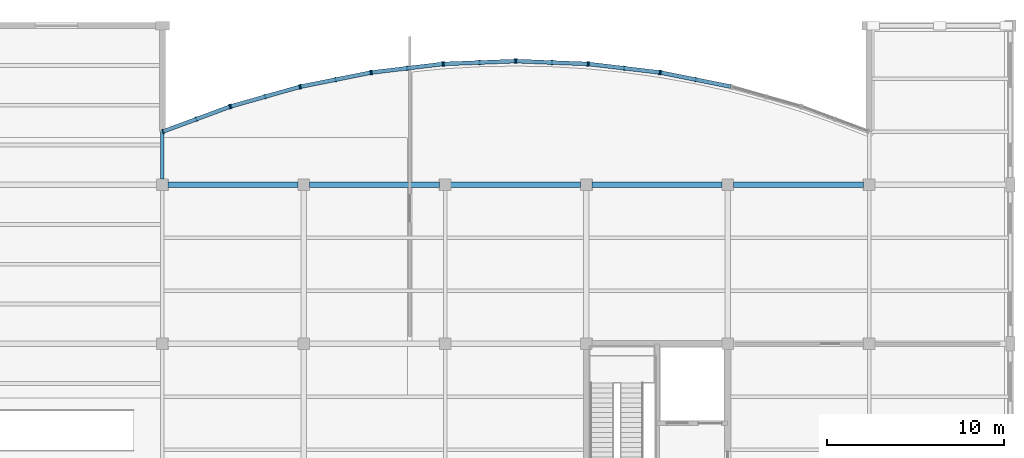
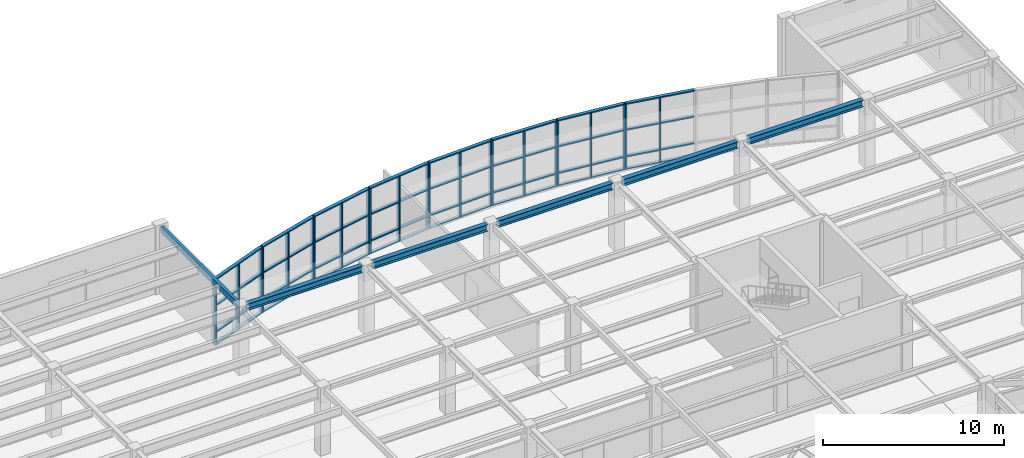
# One storey, part 31 of 63: 55 members, 6 beams, 8 elements without a shape of their own.
"""IFC4 building model written with IfcOpenShell, lengths in metres."""

from ifc_helpers import new_model, si_unit, direction, frame, origin, origin_2d, place, context, subcontext, project, spatial, rectangle, hollow_rectangle, i_section, extrude, material, layer, layer_set, material_profile, profile_set, type_object, element, aggregate, save


model = new_model("IFC4")

# Units and contexts
model_context = context("Model", 3, precision=1e-05, world=origin(), true_north=direction((0.0, 1.0)))
body_context = subcontext(model_context, "Body", "Model", "MODEL_VIEW")
ifc_project = project(units=[si_unit("LENGTHUNIT", "METRE"), si_unit("AREAUNIT", "SQUARE_METRE"), si_unit("VOLUMEUNIT", "CUBIC_METRE"), si_unit("PLANEANGLEUNIT", "RADIAN"), si_unit("MASSUNIT", "GRAM", prefix="KILO")], contexts=[model_context])

# Site, building, storey
site_placement = place(None, origin())
site = spatial("IfcSite", under=ifc_project, at=site_placement, CompositionType="ELEMENT")
building_placement = place(site_placement, origin())
building = spatial("IfcBuilding", under=site, at=building_placement, Name="Keelwater Ferry Terminal", CompositionType="ELEMENT")
storey_placement = place(building_placement, frame((0.0, 0.0, 10.199951171875)))
storey = spatial("IfcBuildingStorey", under=building, at=storey_placement, Name="L02", CompositionType="ELEMENT", Elevation=10.199951171875)

# Curtain wall, members
ifc_material_1 = material(Name="Thermally broken unitised aluminium and triple glass", Category="aluminium")
ifc_layer = layer(ifc_material_1, 0.179931640625)
ifc_layer_set = layer_set([ifc_layer], Name="Thermally broken unitised aluminium and triple glass")
curtain_wall_type = type_object("IfcCurtainWallType", Name="CW-21 Unitised Curtain Wall 4015x4400", PredefinedType="USERDEFINED", material=ifc_layer_set)
curtain_wall_1_placement = place(storey_placement, origin())
curtain_wall_1 = element("IfcCurtainWall", 1, at=curtain_wall_1_placement, inside=storey, type_object=curtain_wall_type, Name="Unitised Curtain Wall CW-L02-195", ObjectType="UNITISED CURTAIN WALL", PredefinedType="USERDEFINED")
ifc_material_2 = material(Name="Aluminium mullion", Category="aluminium")
ifc_material_profile_1 = material_profile(ifc_material_2, rectangle(XDim=0.080078125, YDim=0.25, at=origin_2d()), Name="CWM-04")
ifc_profile_set_1 = profile_set([ifc_material_profile_1], Name="Aluminium mullion")
member_type_1 = type_object("IfcMemberType", Name="CWM-04 Curtain Mullion 80x250", PredefinedType="MULLION", material=ifc_profile_set_1)
member_1_placement = place(storey_placement, frame((162.1904296875, 122.950439453125, 0.0), z_axis=(0.0, 0.0, 1.0), x_axis=(-0.98059983046, 0.196020336958, 0.0)))
member_1 = element("IfcMember", 2, at=member_1_placement, type_object=member_type_1, Name="CW-L02-195 Mullion 2", PredefinedType="MULLION", context=body_context, shape_type="SweptSolid", body=[
    extrude(rectangle(XDim=0.080078125, YDim=0.25, at=origin_2d()), origin(), (0.0, 0.0, 1.0), 4.400146484375),
])
member_2_placement = place(storey_placement, frame((160.221923828125, 123.343994140625, 0.0), z_axis=(0.0, 0.0, 1.0), x_axis=(-0.98059983046, 0.196020336958, 0.0)))
member_2 = element("IfcMember", 3, at=member_2_placement, type_object=member_type_1, Name="CW-L02-195 Mullion 3", PredefinedType="MULLION", context=body_context, shape_type="SweptSolid", body=[
    extrude(rectangle(XDim=0.080078125, YDim=0.25, at=origin_2d()), origin(), (0.0, 0.0, 1.0), 4.400146484375),
])

curtain_wall_2_placement = place(storey_placement, origin())
curtain_wall_2 = element("IfcCurtainWall", 4, at=curtain_wall_2_placement, inside=storey, type_object=curtain_wall_type, Name="Unitised Curtain Wall CW-L02-196", ObjectType="UNITISED CURTAIN WALL", PredefinedType="USERDEFINED")
member_3_placement = place(storey_placement, frame((160.133056640625, 123.35791015625, 0.0), z_axis=(0.0, 0.0, 1.0), x_axis=(-0.992974342459, 0.118329857676, 0.0)))
member_3 = element("IfcMember", 5, at=member_3_placement, type_object=member_type_1, Name="CW-L02-196 Mullion 1", PredefinedType="MULLION", context=body_context, shape_type="SweptSolid", body=[
    extrude(rectangle(XDim=0.080078125, YDim=0.25, at=origin_2d()), origin(), (0.0, 0.0, 1.0), 4.400146484375),
])
member_4_placement = place(storey_placement, frame((158.139892578125, 123.595458984375, 0.0), z_axis=(0.0, 0.0, 1.0), x_axis=(-0.992974342459, 0.118329857676, 0.0)))
member_4 = element("IfcMember", 6, at=member_4_placement, type_object=member_type_1, Name="CW-L02-196 Mullion 2", PredefinedType="MULLION", context=body_context, shape_type="SweptSolid", body=[
    extrude(rectangle(XDim=0.080078125, YDim=0.25, at=origin_2d()), origin(), (0.0, 0.0, 1.0), 4.400146484375),
])
member_5_placement = place(storey_placement, frame((156.14697265625, 123.8330078125, 0.0), z_axis=(0.0, 0.0, 1.0), x_axis=(-0.992974342459, 0.118329857676, 0.0)))
member_5 = element("IfcMember", 7, at=member_5_placement, type_object=member_type_1, Name="CW-L02-196 Mullion 3", PredefinedType="MULLION", context=body_context, shape_type="SweptSolid", body=[
    extrude(rectangle(XDim=0.080078125, YDim=0.25, at=origin_2d()), origin(), (0.0, 0.0, 1.0), 4.400146484375),
])

curtain_wall_3_placement = place(storey_placement, origin())
curtain_wall_3 = element("IfcCurtainWall", 8, at=curtain_wall_3_placement, inside=storey, type_object=curtain_wall_type, Name="Unitised Curtain Wall CW-L02-197", ObjectType="UNITISED CURTAIN WALL", PredefinedType="USERDEFINED")
member_6_placement = place(storey_placement, frame((156.056884765625, 123.840087890625, 0.0), z_axis=(0.0, 0.0, 1.0), x_axis=(-0.999225435626, 0.039351350652, 0.0)))
member_6 = element("IfcMember", 9, at=member_6_placement, type_object=member_type_1, Name="CW-L02-197 Mullion 1", PredefinedType="MULLION", context=body_context, shape_type="SweptSolid", body=[
    extrude(rectangle(XDim=0.080078125, YDim=0.25, at=origin_2d()), origin(), (0.0, 0.0, 1.0), 4.400146484375),
])
member_7_placement = place(storey_placement, frame((154.051025390625, 123.9189453125, 0.0), z_axis=(0.0, 0.0, 1.0), x_axis=(-0.999225435626, 0.039351350652, 0.0)))
member_7 = element("IfcMember", 10, at=member_7_placement, type_object=member_type_1, Name="CW-L02-197 Mullion 2", PredefinedType="MULLION", context=body_context, shape_type="SweptSolid", body=[
    extrude(rectangle(XDim=0.080078125, YDim=0.25, at=origin_2d()), origin(), (0.0, 0.0, 1.0), 4.400146484375),
])
member_8_placement = place(storey_placement, frame((152.044921875, 123.998046875, 0.0), z_axis=(0.0, 0.0, 1.0), x_axis=(-0.999225435626, 0.039351350652, 0.0)))
member_8 = element("IfcMember", 11, at=member_8_placement, type_object=member_type_1, Name="CW-L02-197 Mullion 3", PredefinedType="MULLION", context=body_context, shape_type="SweptSolid", body=[
    extrude(rectangle(XDim=0.080078125, YDim=0.25, at=origin_2d()), origin(), (0.0, 0.0, 1.0), 4.400146484375),
])

curtain_wall_4_placement = place(storey_placement, origin())
curtain_wall_4 = element("IfcCurtainWall", 12, at=curtain_wall_4_placement, inside=storey, type_object=curtain_wall_type, Name="Unitised Curtain Wall CW-L02-198", ObjectType="UNITISED CURTAIN WALL", PredefinedType="USERDEFINED")
member_9_placement = place(storey_placement, frame((151.955078125, 123.998046875, 0.0), z_axis=(0.0, 0.0, 1.0), x_axis=(-0.999225435626, -0.039351350652, 0.0)))
member_9 = element("IfcMember", 13, at=member_9_placement, type_object=member_type_1, Name="CW-L02-198 Mullion 1", PredefinedType="MULLION", context=body_context, shape_type="SweptSolid", body=[
    extrude(rectangle(XDim=0.080078125, YDim=0.25, at=origin_2d()), origin(), (0.0, 0.0, 1.0), 4.400146484375),
])
member_10_placement = place(storey_placement, frame((149.948974609375, 123.9189453125, 0.0), z_axis=(0.0, 0.0, 1.0), x_axis=(-0.999225435626, -0.039351350652, 0.0)))
member_10 = element("IfcMember", 14, at=member_10_placement, type_object=member_type_1, Name="CW-L02-198 Mullion 2", PredefinedType="MULLION", context=body_context, shape_type="SweptSolid", body=[
    extrude(rectangle(XDim=0.080078125, YDim=0.25, at=origin_2d()), origin(), (0.0, 0.0, 1.0), 4.400146484375),
])
member_11_placement = place(storey_placement, frame((147.943115234375, 123.840087890625, 0.0), z_axis=(0.0, 0.0, 1.0), x_axis=(-0.999225435626, -0.039351350652, 0.0)))
member_11 = element("IfcMember", 15, at=member_11_placement, type_object=member_type_1, Name="CW-L02-198 Mullion 3", PredefinedType="MULLION", context=body_context, shape_type="SweptSolid", body=[
    extrude(rectangle(XDim=0.080078125, YDim=0.25, at=origin_2d()), origin(), (0.0, 0.0, 1.0), 4.400146484375),
])

curtain_wall_5_placement = place(storey_placement, origin())
curtain_wall_5 = element("IfcCurtainWall", 16, at=curtain_wall_5_placement, inside=storey, type_object=curtain_wall_type, Name="Unitised Curtain Wall CW-L02-199", ObjectType="UNITISED CURTAIN WALL", PredefinedType="USERDEFINED")
member_12_placement = place(storey_placement, frame((147.85302734375, 123.8330078125, 0.0), z_axis=(0.0, 0.0, 1.0), x_axis=(-0.992974342459, -0.118329857676, 0.0)))
member_12 = element("IfcMember", 17, at=member_12_placement, type_object=member_type_1, Name="CW-L02-199 Mullion 1", PredefinedType="MULLION", context=body_context, shape_type="SweptSolid", body=[
    extrude(rectangle(XDim=0.080078125, YDim=0.25, at=origin_2d()), origin(), (0.0, 0.0, 1.0), 4.400146484375),
])
member_13_placement = place(storey_placement, frame((145.860107421875, 123.595458984375, 0.0), z_axis=(0.0, 0.0, 1.0), x_axis=(-0.992974342459, -0.118329857676, 0.0)))
member_13 = element("IfcMember", 18, at=member_13_placement, type_object=member_type_1, Name="CW-L02-199 Mullion 2", PredefinedType="MULLION", context=body_context, shape_type="SweptSolid", body=[
    extrude(rectangle(XDim=0.080078125, YDim=0.25, at=origin_2d()), origin(), (0.0, 0.0, 1.0), 4.400146484375),
])
member_14_placement = place(storey_placement, frame((143.866943359375, 123.35791015625, 0.0), z_axis=(0.0, 0.0, 1.0), x_axis=(-0.992974342459, -0.118329857676, 0.0)))
member_14 = element("IfcMember", 19, at=member_14_placement, type_object=member_type_1, Name="CW-L02-199 Mullion 3", PredefinedType="MULLION", context=body_context, shape_type="SweptSolid", body=[
    extrude(rectangle(XDim=0.080078125, YDim=0.25, at=origin_2d()), origin(), (0.0, 0.0, 1.0), 4.400146484375),
])

curtain_wall_6_placement = place(storey_placement, origin())
curtain_wall_6 = element("IfcCurtainWall", 20, at=curtain_wall_6_placement, inside=storey, type_object=curtain_wall_type, Name="Unitised Curtain Wall CW-L02-200", ObjectType="UNITISED CURTAIN WALL", PredefinedType="USERDEFINED")
member_15_placement = place(storey_placement, frame((143.778076171875, 123.343994140625, 0.0), z_axis=(0.0, 0.0, 1.0), x_axis=(-0.98059983046, -0.196020336958, 0.0)))
member_15 = element("IfcMember", 21, at=member_15_placement, type_object=member_type_1, Name="CW-L02-200 Mullion 1", PredefinedType="MULLION", context=body_context, shape_type="SweptSolid", body=[
    extrude(rectangle(XDim=0.080078125, YDim=0.25, at=origin_2d()), origin(), (0.0, 0.0, 1.0), 4.400146484375),
])
member_16_placement = place(storey_placement, frame((141.8095703125, 122.950439453125, 0.0), z_axis=(0.0, 0.0, 1.0), x_axis=(-0.98059983046, -0.196020336958, 0.0)))
member_16 = element("IfcMember", 22, at=member_16_placement, type_object=member_type_1, Name="CW-L02-200 Mullion 2", PredefinedType="MULLION", context=body_context, shape_type="SweptSolid", body=[
    extrude(rectangle(XDim=0.080078125, YDim=0.25, at=origin_2d()), origin(), (0.0, 0.0, 1.0), 4.400146484375),
])
member_17_placement = place(storey_placement, frame((139.841064453125, 122.556884765625, 0.0), z_axis=(0.0, 0.0, 1.0), x_axis=(-0.98059983046, -0.196020336958, 0.0)))
member_17 = element("IfcMember", 23, at=member_17_placement, type_object=member_type_1, Name="CW-L02-200 Mullion 3", PredefinedType="MULLION", context=body_context, shape_type="SweptSolid", body=[
    extrude(rectangle(XDim=0.080078125, YDim=0.25, at=origin_2d()), origin(), (0.0, 0.0, 1.0), 4.400146484375),
])

curtain_wall_7_placement = place(storey_placement, origin())
curtain_wall_7 = element("IfcCurtainWall", 24, at=curtain_wall_7_placement, inside=storey, type_object=curtain_wall_type, Name="Unitised Curtain Wall CW-L02-201", ObjectType="UNITISED CURTAIN WALL", PredefinedType="USERDEFINED")
member_18_placement = place(storey_placement, frame((139.75390625, 122.535888671875, 0.0), z_axis=(0.0, 0.0, 1.0), x_axis=(-0.962029778706, -0.272944508797, 0.0)))
member_18 = element("IfcMember", 25, at=member_18_placement, type_object=member_type_1, Name="CW-L02-201 Mullion 1", PredefinedType="MULLION", context=body_context, shape_type="SweptSolid", body=[
    extrude(rectangle(XDim=0.080078125, YDim=0.25, at=origin_2d()), origin(), (0.0, 0.0, 1.0), 4.400146484375),
])
member_19_placement = place(storey_placement, frame((137.822509765625, 121.988037109375, 0.0), z_axis=(0.0, 0.0, 1.0), x_axis=(-0.962029778706, -0.272944508797, 0.0)))
member_19 = element("IfcMember", 26, at=member_19_placement, type_object=member_type_1, Name="CW-L02-201 Mullion 2", PredefinedType="MULLION", context=body_context, shape_type="SweptSolid", body=[
    extrude(rectangle(XDim=0.080078125, YDim=0.25, at=origin_2d()), origin(), (0.0, 0.0, 1.0), 4.400146484375),
])
member_20_placement = place(storey_placement, frame((135.89111328125, 121.43994140625, 0.0), z_axis=(0.0, 0.0, 1.0), x_axis=(-0.962029778706, -0.272944508797, 0.0)))
member_20 = element("IfcMember", 27, at=member_20_placement, type_object=member_type_1, Name="CW-L02-201 Mullion 3", PredefinedType="MULLION", context=body_context, shape_type="SweptSolid", body=[
    extrude(rectangle(XDim=0.080078125, YDim=0.25, at=origin_2d()), origin(), (0.0, 0.0, 1.0), 4.400146484375),
])

curtain_wall_8_placement = place(storey_placement, origin())
curtain_wall_8 = element("IfcCurtainWall", 28, at=curtain_wall_8_placement, inside=storey, type_object=curtain_wall_type, Name="Unitised Curtain Wall CW-L02-202", ObjectType="UNITISED CURTAIN WALL", PredefinedType="USERDEFINED")
member_21_placement = place(storey_placement, frame((135.805908203125, 121.412109375, 0.0), z_axis=(0.0, 0.0, 1.0), x_axis=(-0.937592418253, -0.347736189136, 0.0)))
member_21 = element("IfcMember", 29, at=member_21_placement, type_object=member_type_1, Name="CW-L02-202 Mullion 1", PredefinedType="MULLION", context=body_context, shape_type="SweptSolid", body=[
    extrude(rectangle(XDim=0.080078125, YDim=0.25, at=origin_2d()), origin(), (0.0, 0.0, 1.0), 4.400146484375),
])
member_22_placement = place(storey_placement, frame((133.924072265625, 120.714111328125, 0.0), z_axis=(0.0, 0.0, 1.0), x_axis=(-0.937592418253, -0.347736189136, 0.0)))
member_22 = element("IfcMember", 30, at=member_22_placement, type_object=member_type_1, Name="CW-L02-202 Mullion 2", PredefinedType="MULLION", context=body_context, shape_type="SweptSolid", body=[
    extrude(rectangle(XDim=0.080078125, YDim=0.25, at=origin_2d()), origin(), (0.0, 0.0, 1.0), 4.400146484375),
])
member_23_placement = place(storey_placement, frame((132.0419921875, 120.01611328125, 0.0), z_axis=(0.0, 0.0, 1.0), x_axis=(-0.937592418253, -0.347736189136, 0.0)))
member_23 = element("IfcMember", 31, at=member_23_placement, type_object=member_type_1, Name="CW-L02-202 Mullion 3", PredefinedType="MULLION", context=body_context, shape_type="SweptSolid", body=[
    extrude(rectangle(XDim=0.080078125, YDim=0.25, at=origin_2d()), origin(), (0.0, 0.0, 1.0), 4.400146484375),
])

# Member
ifc_material_3 = material(Name="Aluminium mullion", Category="aluminium")
ifc_material_profile_2 = material_profile(ifc_material_3, rectangle(XDim=0.219970703125, YDim=0.080078125, at=origin_2d()), Name="CWT-04")
ifc_profile_set_2 = profile_set([ifc_material_profile_2], Name="Aluminium mullion")
member_type_2 = type_object("IfcMemberType", Name="CWT-04 Curtain Transom 80x220", PredefinedType="USERDEFINED", material=ifc_profile_set_2)
member_24_placement = place(storey_placement, frame((164.158935546875, 122.556884765625, 0.0), z_axis=(-0.980594705866, 0.196045971209, 0.0), x_axis=(-0.196045971209, -0.980594705866, 0.0)))
member_24 = element("IfcMember", 32, at=member_24_placement, type_object=member_type_2, Name="CW-L02-195 Transom 1", ObjectType="TRANSOM", PredefinedType="USERDEFINED", context=body_context, shape_type="SweptSolid", body=[
    extrude(rectangle(XDim=0.219970703125, YDim=0.080078125, at=origin_2d()), origin(), (0.0, 0.0, 1.0), 4.014892578125),
])

member_25_placement = place(storey_placement, frame((164.158935546875, 122.556884765625, 0.85009765625), z_axis=(-0.980594705866, 0.196045971209, 0.0), x_axis=(-0.196045971209, -0.980594705866, 0.0)))
member_25 = element("IfcMember", 33, at=member_25_placement, type_object=member_type_2, Name="CW-L02-195 Transom 2", ObjectType="TRANSOM", PredefinedType="USERDEFINED", context=body_context, shape_type="SweptSolid", body=[
    extrude(rectangle(XDim=0.219970703125, YDim=0.080078125, at=origin_2d()), origin(), (0.0, 0.0, 1.0), 4.014892578125),
])

member_26_placement = place(storey_placement, frame((164.158935546875, 122.556884765625, 2.650146484375), z_axis=(-0.980594705866, 0.196045971209, 0.0), x_axis=(-0.196045971209, -0.980594705866, 0.0)))
member_26 = element("IfcMember", 34, at=member_26_placement, type_object=member_type_2, Name="CW-L02-195 Transom 3", ObjectType="TRANSOM", PredefinedType="USERDEFINED", context=body_context, shape_type="SweptSolid", body=[
    extrude(rectangle(XDim=0.219970703125, YDim=0.080078125, at=origin_2d()), origin(), (0.0, 0.0, 1.0), 4.014892578125),
])

member_27_placement = place(storey_placement, frame((164.158935546875, 122.556884765625, 4.400146484375), z_axis=(-0.980594705866, 0.196045971209, 0.0), x_axis=(-0.196045971209, -0.980594705866, 0.0)))
member_27 = element("IfcMember", 35, at=member_27_placement, type_object=member_type_2, Name="CW-L02-195 Transom 4", ObjectType="TRANSOM", PredefinedType="USERDEFINED", context=body_context, shape_type="SweptSolid", body=[
    extrude(rectangle(XDim=0.219970703125, YDim=0.080078125, at=origin_2d()), origin(), (0.0, 0.0, 1.0), 4.014892578125),
])

aggregate(curtain_wall_1, [member_1, member_2, member_24, member_25, member_26, member_27])

member_28_placement = place(storey_placement, frame((160.133056640625, 123.35791015625, 0.0), z_axis=(-0.992971776767, 0.1183513859, 0.0), x_axis=(-0.1183513859, -0.992971776767, 0.0)))
member_28 = element("IfcMember", 36, at=member_28_placement, type_object=member_type_2, Name="CW-L02-196 Transom 1", ObjectType="TRANSOM", PredefinedType="USERDEFINED", context=body_context, shape_type="SweptSolid", body=[
    extrude(rectangle(XDim=0.219970703125, YDim=0.080078125, at=origin_2d()), origin(), (0.0, 0.0, 1.0), 4.014404296875),
])

member_29_placement = place(storey_placement, frame((160.133056640625, 123.35791015625, 0.85009765625), z_axis=(-0.992971776767, 0.1183513859, 0.0), x_axis=(-0.1183513859, -0.992971776767, 0.0)))
member_29 = element("IfcMember", 37, at=member_29_placement, type_object=member_type_2, Name="CW-L02-196 Transom 2", ObjectType="TRANSOM", PredefinedType="USERDEFINED", context=body_context, shape_type="SweptSolid", body=[
    extrude(rectangle(XDim=0.219970703125, YDim=0.080078125, at=origin_2d()), origin(), (0.0, 0.0, 1.0), 4.014404296875),
])

member_30_placement = place(storey_placement, frame((160.133056640625, 123.35791015625, 2.650146484375), z_axis=(-0.992971776767, 0.1183513859, 0.0), x_axis=(-0.1183513859, -0.992971776767, 0.0)))
member_30 = element("IfcMember", 38, at=member_30_placement, type_object=member_type_2, Name="CW-L02-196 Transom 3", ObjectType="TRANSOM", PredefinedType="USERDEFINED", context=body_context, shape_type="SweptSolid", body=[
    extrude(rectangle(XDim=0.219970703125, YDim=0.080078125, at=origin_2d()), origin(), (0.0, 0.0, 1.0), 4.014404296875),
])

member_31_placement = place(storey_placement, frame((160.133056640625, 123.35791015625, 4.400146484375), z_axis=(-0.992971776767, 0.1183513859, 0.0), x_axis=(-0.1183513859, -0.992971776767, 0.0)))
member_31 = element("IfcMember", 39, at=member_31_placement, type_object=member_type_2, Name="CW-L02-196 Transom 4", ObjectType="TRANSOM", PredefinedType="USERDEFINED", context=body_context, shape_type="SweptSolid", body=[
    extrude(rectangle(XDim=0.219970703125, YDim=0.080078125, at=origin_2d()), origin(), (0.0, 0.0, 1.0), 4.014404296875),
])

aggregate(curtain_wall_2, [member_3, member_4, member_5, member_28, member_29, member_30, member_31])

member_32_placement = place(storey_placement, frame((156.056884765625, 123.840087890625, 0.0), z_axis=(-0.999225822944, 0.03934151448, 0.0), x_axis=(-0.03934151448, -0.999225822944, 0.0)))
member_32 = element("IfcMember", 40, at=member_32_placement, type_object=member_type_2, Name="CW-L02-197 Transom 1", ObjectType="TRANSOM", PredefinedType="USERDEFINED", context=body_context, shape_type="SweptSolid", body=[
    extrude(rectangle(XDim=0.219970703125, YDim=0.080078125, at=origin_2d()), origin(), (0.0, 0.0, 1.0), 4.01513671875),
])

member_33_placement = place(storey_placement, frame((156.056884765625, 123.840087890625, 0.85009765625), z_axis=(-0.999225822944, 0.03934151448, 0.0), x_axis=(-0.03934151448, -0.999225822944, 0.0)))
member_33 = element("IfcMember", 41, at=member_33_placement, type_object=member_type_2, Name="CW-L02-197 Transom 2", ObjectType="TRANSOM", PredefinedType="USERDEFINED", context=body_context, shape_type="SweptSolid", body=[
    extrude(rectangle(XDim=0.219970703125, YDim=0.080078125, at=origin_2d()), origin(), (0.0, 0.0, 1.0), 4.01513671875),
])

member_34_placement = place(storey_placement, frame((156.056884765625, 123.840087890625, 2.650146484375), z_axis=(-0.999225822944, 0.03934151448, 0.0), x_axis=(-0.03934151448, -0.999225822944, 0.0)))
member_34 = element("IfcMember", 42, at=member_34_placement, type_object=member_type_2, Name="CW-L02-197 Transom 3", ObjectType="TRANSOM", PredefinedType="USERDEFINED", context=body_context, shape_type="SweptSolid", body=[
    extrude(rectangle(XDim=0.219970703125, YDim=0.080078125, at=origin_2d()), origin(), (0.0, 0.0, 1.0), 4.01513671875),
])

member_35_placement = place(storey_placement, frame((156.056884765625, 123.840087890625, 4.400146484375), z_axis=(-0.999225822944, 0.03934151448, 0.0), x_axis=(-0.03934151448, -0.999225822944, 0.0)))
member_35 = element("IfcMember", 43, at=member_35_placement, type_object=member_type_2, Name="CW-L02-197 Transom 4", ObjectType="TRANSOM", PredefinedType="USERDEFINED", context=body_context, shape_type="SweptSolid", body=[
    extrude(rectangle(XDim=0.219970703125, YDim=0.080078125, at=origin_2d()), origin(), (0.0, 0.0, 1.0), 4.01513671875),
])

aggregate(curtain_wall_3, [member_6, member_7, member_8, member_32, member_33, member_34, member_35])

member_36_placement = place(storey_placement, frame((151.955078125, 123.998046875, 0.0), z_axis=(-0.999225822944, -0.03934151448, 0.0), x_axis=(0.03934151448, -0.999225822944, 0.0)))
member_36 = element("IfcMember", 44, at=member_36_placement, type_object=member_type_2, Name="CW-L02-198 Transom 1", ObjectType="TRANSOM", PredefinedType="USERDEFINED", context=body_context, shape_type="SweptSolid", body=[
    extrude(rectangle(XDim=0.219970703125, YDim=0.080078125, at=origin_2d()), origin(), (0.0, 0.0, 1.0), 4.01513671875),
])

member_37_placement = place(storey_placement, frame((151.955078125, 123.998046875, 0.85009765625), z_axis=(-0.999225822944, -0.03934151448, 0.0), x_axis=(0.03934151448, -0.999225822944, 0.0)))
member_37 = element("IfcMember", 45, at=member_37_placement, type_object=member_type_2, Name="CW-L02-198 Transom 2", ObjectType="TRANSOM", PredefinedType="USERDEFINED", context=body_context, shape_type="SweptSolid", body=[
    extrude(rectangle(XDim=0.219970703125, YDim=0.080078125, at=origin_2d()), origin(), (0.0, 0.0, 1.0), 4.01513671875),
])

member_38_placement = place(storey_placement, frame((151.955078125, 123.998046875, 2.650146484375), z_axis=(-0.999225822944, -0.03934151448, 0.0), x_axis=(0.03934151448, -0.999225822944, 0.0)))
member_38 = element("IfcMember", 46, at=member_38_placement, type_object=member_type_2, Name="CW-L02-198 Transom 3", ObjectType="TRANSOM", PredefinedType="USERDEFINED", context=body_context, shape_type="SweptSolid", body=[
    extrude(rectangle(XDim=0.219970703125, YDim=0.080078125, at=origin_2d()), origin(), (0.0, 0.0, 1.0), 4.01513671875),
])

member_39_placement = place(storey_placement, frame((151.955078125, 123.998046875, 4.400146484375), z_axis=(-0.999225822944, -0.03934151448, 0.0), x_axis=(0.03934151448, -0.999225822944, 0.0)))
member_39 = element("IfcMember", 47, at=member_39_placement, type_object=member_type_2, Name="CW-L02-198 Transom 4", ObjectType="TRANSOM", PredefinedType="USERDEFINED", context=body_context, shape_type="SweptSolid", body=[
    extrude(rectangle(XDim=0.219970703125, YDim=0.080078125, at=origin_2d()), origin(), (0.0, 0.0, 1.0), 4.01513671875),
])

aggregate(curtain_wall_4, [member_9, member_10, member_11, member_36, member_37, member_38, member_39])

member_40_placement = place(storey_placement, frame((147.85302734375, 123.8330078125, 0.0), z_axis=(-0.992971776767, -0.1183513859, 0.0), x_axis=(0.1183513859, -0.992971776767, 0.0)))
member_40 = element("IfcMember", 48, at=member_40_placement, type_object=member_type_2, Name="CW-L02-199 Transom 1", ObjectType="TRANSOM", PredefinedType="USERDEFINED", context=body_context, shape_type="SweptSolid", body=[
    extrude(rectangle(XDim=0.219970703125, YDim=0.080078125, at=origin_2d()), origin(), (0.0, 0.0, 1.0), 4.014404296875),
])

member_41_placement = place(storey_placement, frame((147.85302734375, 123.8330078125, 0.85009765625), z_axis=(-0.992971776767, -0.1183513859, 0.0), x_axis=(0.1183513859, -0.992971776767, 0.0)))
member_41 = element("IfcMember", 49, at=member_41_placement, type_object=member_type_2, Name="CW-L02-199 Transom 2", ObjectType="TRANSOM", PredefinedType="USERDEFINED", context=body_context, shape_type="SweptSolid", body=[
    extrude(rectangle(XDim=0.219970703125, YDim=0.080078125, at=origin_2d()), origin(), (0.0, 0.0, 1.0), 4.014404296875),
])

member_42_placement = place(storey_placement, frame((147.85302734375, 123.8330078125, 2.650146484375), z_axis=(-0.992971776767, -0.1183513859, 0.0), x_axis=(0.1183513859, -0.992971776767, 0.0)))
member_42 = element("IfcMember", 50, at=member_42_placement, type_object=member_type_2, Name="CW-L02-199 Transom 3", ObjectType="TRANSOM", PredefinedType="USERDEFINED", context=body_context, shape_type="SweptSolid", body=[
    extrude(rectangle(XDim=0.219970703125, YDim=0.080078125, at=origin_2d()), origin(), (0.0, 0.0, 1.0), 4.014404296875),
])

member_43_placement = place(storey_placement, frame((147.85302734375, 123.8330078125, 4.400146484375), z_axis=(-0.992971776767, -0.1183513859, 0.0), x_axis=(0.1183513859, -0.992971776767, 0.0)))
member_43 = element("IfcMember", 51, at=member_43_placement, type_object=member_type_2, Name="CW-L02-199 Transom 4", ObjectType="TRANSOM", PredefinedType="USERDEFINED", context=body_context, shape_type="SweptSolid", body=[
    extrude(rectangle(XDim=0.219970703125, YDim=0.080078125, at=origin_2d()), origin(), (0.0, 0.0, 1.0), 4.014404296875),
])

aggregate(curtain_wall_5, [member_12, member_13, member_14, member_40, member_41, member_42, member_43])

member_44_placement = place(storey_placement, frame((143.778076171875, 123.343994140625, 0.0), z_axis=(-0.980594705866, -0.196045971209, 0.0), x_axis=(0.196045971209, -0.980594705866, 0.0)))
member_44 = element("IfcMember", 52, at=member_44_placement, type_object=member_type_2, Name="CW-L02-200 Transom 1", ObjectType="TRANSOM", PredefinedType="USERDEFINED", context=body_context, shape_type="SweptSolid", body=[
    extrude(rectangle(XDim=0.219970703125, YDim=0.080078125, at=origin_2d()), origin(), (0.0, 0.0, 1.0), 4.014892578125),
])

member_45_placement = place(storey_placement, frame((143.778076171875, 123.343994140625, 0.85009765625), z_axis=(-0.980594705866, -0.196045971209, 0.0), x_axis=(0.196045971209, -0.980594705866, 0.0)))
member_45 = element("IfcMember", 53, at=member_45_placement, type_object=member_type_2, Name="CW-L02-200 Transom 2", ObjectType="TRANSOM", PredefinedType="USERDEFINED", context=body_context, shape_type="SweptSolid", body=[
    extrude(rectangle(XDim=0.219970703125, YDim=0.080078125, at=origin_2d()), origin(), (0.0, 0.0, 1.0), 4.014892578125),
])

member_46_placement = place(storey_placement, frame((143.778076171875, 123.343994140625, 2.650146484375), z_axis=(-0.980594705866, -0.196045971209, 0.0), x_axis=(0.196045971209, -0.980594705866, 0.0)))
member_46 = element("IfcMember", 54, at=member_46_placement, type_object=member_type_2, Name="CW-L02-200 Transom 3", ObjectType="TRANSOM", PredefinedType="USERDEFINED", context=body_context, shape_type="SweptSolid", body=[
    extrude(rectangle(XDim=0.219970703125, YDim=0.080078125, at=origin_2d()), origin(), (0.0, 0.0, 1.0), 4.014892578125),
])

member_47_placement = place(storey_placement, frame((143.778076171875, 123.343994140625, 4.400146484375), z_axis=(-0.980594705866, -0.196045971209, 0.0), x_axis=(0.196045971209, -0.980594705866, 0.0)))
member_47 = element("IfcMember", 55, at=member_47_placement, type_object=member_type_2, Name="CW-L02-200 Transom 4", ObjectType="TRANSOM", PredefinedType="USERDEFINED", context=body_context, shape_type="SweptSolid", body=[
    extrude(rectangle(XDim=0.219970703125, YDim=0.080078125, at=origin_2d()), origin(), (0.0, 0.0, 1.0), 4.014892578125),
])

aggregate(curtain_wall_6, [member_15, member_16, member_17, member_44, member_45, member_46, member_47])

member_48_placement = place(storey_placement, frame((139.75390625, 122.535888671875, 0.0), z_axis=(-0.962029386072, -0.272945892686, 0.0), x_axis=(0.272945892686, -0.962029386072, 0.0)))
member_48 = element("IfcMember", 56, at=member_48_placement, type_object=member_type_2, Name="CW-L02-201 Transom 1", ObjectType="TRANSOM", PredefinedType="USERDEFINED", context=body_context, shape_type="SweptSolid", body=[
    extrude(rectangle(XDim=0.219970703125, YDim=0.080078125, at=origin_2d()), origin(), (0.0, 0.0, 1.0), 4.01513671875),
])

member_49_placement = place(storey_placement, frame((139.75390625, 122.535888671875, 0.85009765625), z_axis=(-0.962029386072, -0.272945892686, 0.0), x_axis=(0.272945892686, -0.962029386072, 0.0)))
member_49 = element("IfcMember", 57, at=member_49_placement, type_object=member_type_2, Name="CW-L02-201 Transom 2", ObjectType="TRANSOM", PredefinedType="USERDEFINED", context=body_context, shape_type="SweptSolid", body=[
    extrude(rectangle(XDim=0.219970703125, YDim=0.080078125, at=origin_2d()), origin(), (0.0, 0.0, 1.0), 4.01513671875),
])

member_50_placement = place(storey_placement, frame((139.75390625, 122.535888671875, 2.650146484375), z_axis=(-0.962029386072, -0.272945892686, 0.0), x_axis=(0.272945892686, -0.962029386072, 0.0)))
member_50 = element("IfcMember", 58, at=member_50_placement, type_object=member_type_2, Name="CW-L02-201 Transom 3", ObjectType="TRANSOM", PredefinedType="USERDEFINED", context=body_context, shape_type="SweptSolid", body=[
    extrude(rectangle(XDim=0.219970703125, YDim=0.080078125, at=origin_2d()), origin(), (0.0, 0.0, 1.0), 4.01513671875),
])

member_51_placement = place(storey_placement, frame((139.75390625, 122.535888671875, 4.400146484375), z_axis=(-0.962029386072, -0.272945892686, 0.0), x_axis=(0.272945892686, -0.962029386072, 0.0)))
member_51 = element("IfcMember", 59, at=member_51_placement, type_object=member_type_2, Name="CW-L02-201 Transom 4", ObjectType="TRANSOM", PredefinedType="USERDEFINED", context=body_context, shape_type="SweptSolid", body=[
    extrude(rectangle(XDim=0.219970703125, YDim=0.080078125, at=origin_2d()), origin(), (0.0, 0.0, 1.0), 4.01513671875),
])

aggregate(curtain_wall_7, [member_18, member_19, member_20, member_48, member_49, member_50, member_51])

member_52_placement = place(storey_placement, frame((135.805908203125, 121.412109375, 0.0), z_axis=(-0.937590205769, -0.347742154543, 0.0), x_axis=(0.347742154543, -0.937590205769, 0.0)))
member_52 = element("IfcMember", 60, at=member_52_placement, type_object=member_type_2, Name="CW-L02-202 Transom 1", ObjectType="TRANSOM", PredefinedType="USERDEFINED", context=body_context, shape_type="SweptSolid", body=[
    extrude(rectangle(XDim=0.219970703125, YDim=0.080078125, at=origin_2d()), origin(), (0.0, 0.0, 1.0), 4.014404296875),
])

member_53_placement = place(storey_placement, frame((135.805908203125, 121.412109375, 0.85009765625), z_axis=(-0.937590205769, -0.347742154543, 0.0), x_axis=(0.347742154543, -0.937590205769, 0.0)))
member_53 = element("IfcMember", 61, at=member_53_placement, type_object=member_type_2, Name="CW-L02-202 Transom 2", ObjectType="TRANSOM", PredefinedType="USERDEFINED", context=body_context, shape_type="SweptSolid", body=[
    extrude(rectangle(XDim=0.219970703125, YDim=0.080078125, at=origin_2d()), origin(), (0.0, 0.0, 1.0), 4.014404296875),
])

member_54_placement = place(storey_placement, frame((135.805908203125, 121.412109375, 2.650146484375), z_axis=(-0.937590205769, -0.347742154543, 0.0), x_axis=(0.347742154543, -0.937590205769, 0.0)))
member_54 = element("IfcMember", 62, at=member_54_placement, type_object=member_type_2, Name="CW-L02-202 Transom 3", ObjectType="TRANSOM", PredefinedType="USERDEFINED", context=body_context, shape_type="SweptSolid", body=[
    extrude(rectangle(XDim=0.219970703125, YDim=0.080078125, at=origin_2d()), origin(), (0.0, 0.0, 1.0), 4.014404296875),
])

member_55_placement = place(storey_placement, frame((135.805908203125, 121.412109375, 4.400146484375), z_axis=(-0.937590205769, -0.347742154543, 0.0), x_axis=(0.347742154543, -0.937590205769, 0.0)))
member_55 = element("IfcMember", 63, at=member_55_placement, type_object=member_type_2, Name="CW-L02-202 Transom 4", ObjectType="TRANSOM", PredefinedType="USERDEFINED", context=body_context, shape_type="SweptSolid", body=[
    extrude(rectangle(XDim=0.219970703125, YDim=0.080078125, at=origin_2d()), origin(), (0.0, 0.0, 1.0), 4.014404296875),
])

aggregate(curtain_wall_8, [member_21, member_22, member_23, member_52, member_53, member_54, member_55])

# Beams
ifc_material_4 = material(Name="Steel S355", Category="steel")
ifc_material_profile_3 = material_profile(ifc_material_4, i_section(OverallWidth=0.300048828125, OverallDepth=0.449951171875, WebThickness=0.013916015625, FlangeThickness=0.02587890625, at=origin_2d()), Name="HEB 450")
ifc_profile_set_3 = profile_set([ifc_material_profile_3], Name="Steel S355")
beam_type_1 = type_object("IfcBeamType", Name="G6 HEB 450", PredefinedType="BEAM", material=ifc_profile_set_3)
for number, where, z_axis, x_axis, name in (
    (64, (132.318115234375, 117.0, 4.295166015625), (1.0, 0.0, 0.0), (0.0, 1.0, 0.0), "Beam BM-L02-1063"),
    (65, (140.318115234375, 117.0, 4.295166015625), (1.0, 0.0, 0.0), (0.0, 1.0, 0.0), "Beam BM-L02-1064"),
    (66, (148.318115234375, 117.0, 4.295166015625), (1.0, 0.0, 0.0), (0.0, 1.0, 0.0), "Beam BM-L02-1065"),
    (67, (156.318115234375, 117.0, 4.295166015625), (1.0, 0.0, 0.0), (0.0, 1.0, 0.0), "Beam BM-L02-1066"),
    (68, (164.318115234375, 117.0, 4.295166015625), (1.0, 0.0, 0.0), (0.0, 1.0, 0.0), "Beam BM-L02-1067"),
):
    element("IfcBeam", number, at=place(storey_placement, frame(where, z_axis=z_axis, x_axis=x_axis)), inside=storey, type_object=beam_type_1, Name=name, PredefinedType="BEAM", context=body_context, shape_type="SweptSolid", body=[
        extrude(i_section(OverallWidth=0.300048828125, OverallDepth=0.449951171875, WebThickness=0.013916015625, FlangeThickness=0.02587890625, at=origin_2d()), origin(), (0.0, 0.0, 1.0), 7.36376953125),
    ])
ifc_material_5 = material(Name="Steel S355", Category="steel")
ifc_material_profile_4 = material_profile(ifc_material_5, hollow_rectangle(XDim=0.199951171875, YDim=0.39990234375, WallThickness=0.01611328125, at=origin_2d()), Name="RHS 400x200x16")
ifc_profile_set_4 = profile_set([ifc_material_profile_4], Name="Steel S355")
beam_type_2 = type_object("IfcBeamType", Name="SP3E RHS 400x200x16", PredefinedType="SPANDREL", material=ifc_profile_set_4)
beam_placement = place(storey_placement, frame((132.0, 117.318115234375, 4.320068359375), z_axis=(0.0, 1.0, 0.0), x_axis=(-1.0, 0.0, 0.0)))
element("IfcBeam", 69, at=beam_placement, inside=storey, type_object=beam_type_2, Name="Beam BM-L02-1107", PredefinedType="SPANDREL", context=body_context, shape_type="SweptSolid", body=[
    extrude(hollow_rectangle(XDim=0.199951171875, YDim=0.39990234375, WallThickness=0.01611328125, at=origin_2d()), origin(), (0.0, 0.0, 1.0), 8.436767578125),
])

save(model, "model.ifc")
